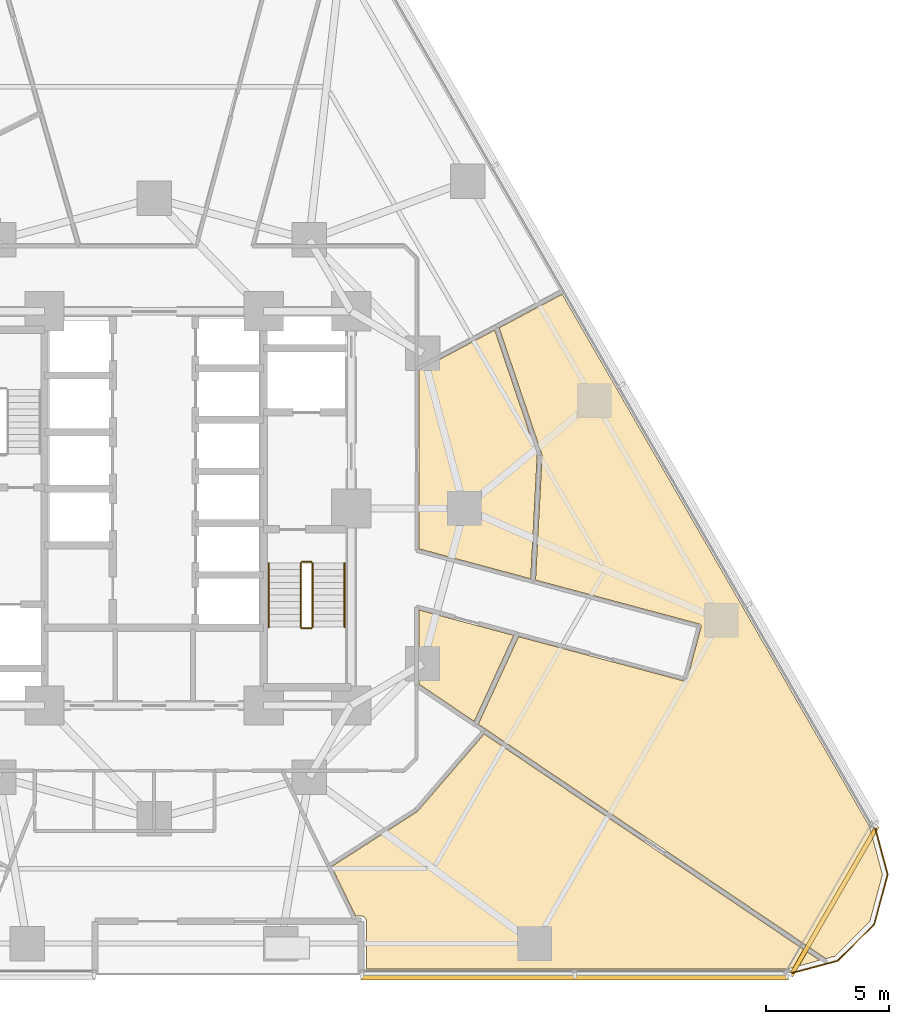
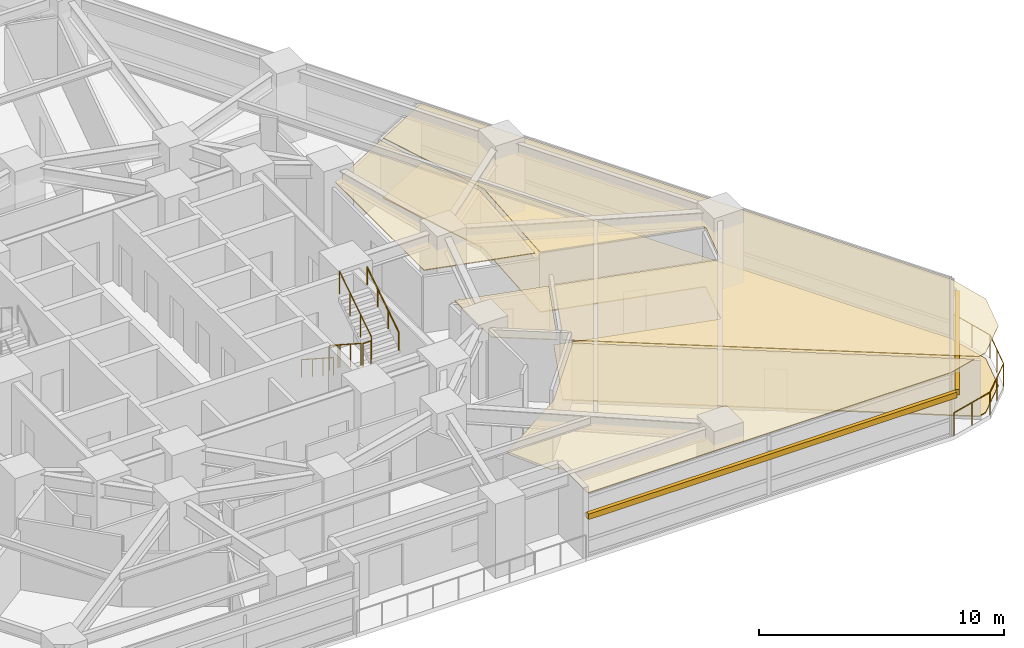
# One storey, part 15 of 16: 7 railings, 5 coverings, 2 shading devices.
"""IFC4 building model written with IfcOpenShell, lengths in metres."""

from ifc_helpers import new_model, si_unit, direction, frame, origin, origin_2d, place, context, subcontext, project, spatial, polyline, rectangle, circle, outline, extrude, material, layer, layer_set, type_object, element, save


model = new_model("IFC4")

# Units and contexts
model_context = context("Model", 3, precision=1e-05, world=origin(), true_north=direction((0.0, 1.0)))
body_context = subcontext(model_context, "Body", "Model", "MODEL_VIEW")
ifc_project = project(units=[si_unit("LENGTHUNIT", "METRE"), si_unit("AREAUNIT", "SQUARE_METRE"), si_unit("VOLUMEUNIT", "CUBIC_METRE"), si_unit("PLANEANGLEUNIT", "RADIAN"), si_unit("MASSUNIT", "GRAM", prefix="KILO")], contexts=[model_context])

# Site, building, storey
site_placement = place(None, origin())
site = spatial("IfcSite", under=ifc_project, at=site_placement, CompositionType="ELEMENT")
building_placement = place(site_placement, origin())
building = spatial("IfcBuilding", under=site, at=building_placement, Name="Terralouvre Media Tower", CompositionType="ELEMENT")
storey_placement = place(building_placement, frame((0.0, 0.0, 44.5)))
storey = spatial("IfcBuildingStorey", under=building, at=storey_placement, Name="L10", CompositionType="ELEMENT", Elevation=44.5)

# Coverings
ifc_material_1 = material(Name="Resilient elastomer acoustic broadcast studio flooring")
ifc_layer_1 = layer(ifc_material_1, 0.050048828125, Name="Broadcast Studio Acoustic Floating Floor FL-AC1")
ifc_layer_set_1 = layer_set([ifc_layer_1], Name="Resilient elastomer acoustic broadcast studio flooring")
covering_type_1 = type_object("IfcCoveringType", Name="Broadcast Studio Acoustic Floating Floor FL-AC1", PredefinedType="FLOORING", material=ifc_layer_set_1)
covering_1_placement = place(storey_placement, origin())
element("IfcCovering", 1, at=covering_1_placement, inside=storey, type_object=covering_type_1, Name="L10 Creative Set Workshop 4 Acoustic Floating Floor", PredefinedType="FLOORING", context=body_context, shape_type="SweptSolid", body=[
    extrude(outline(polyline([(15.747802734375, 2.18505859375), (15.750244140625, 2.17578125), (15.752197265625, 2.16650390625), (15.7529296875, 2.1572265625), (15.7529296875, 2.147705078125), (15.487060546875, -2.907470703125), (22.140869140625, -4.6904296875), (22.150146484375, -4.693359375), (22.1591796875, -4.697265625), (22.167724609375, -4.7021484375), (22.17578125, -4.707763671875), (22.183349609375, -4.714111328125), (22.190185546875, -4.72119140625), (22.1962890625, -4.728759765625), (22.20166015625, -4.737060546875), (22.2060546875, -4.74560546875), (22.209716796875, -4.7548828125), (22.21240234375, -4.764404296875), (22.214111328125, -4.77392578125), (22.21484375, -4.78369140625), (22.21484375, -4.793701171875), (22.213623046875, -4.80322265625), (22.211669921875, -4.81298828125), (21.6416015625, -6.93798828125), (21.638671875, -6.947265625), (21.634765625, -6.956298828125), (21.6298828125, -6.96484375), (21.624267578125, -6.972900390625), (21.617919921875, -6.98046875), (21.61083984375, -6.9873046875), (21.603271484375, -6.993408203125), (21.594970703125, -6.99853515625), (21.586181640625, -7.003173828125), (21.5771484375, -7.006591796875), (21.567626953125, -7.009521484375), (21.55810546875, -7.010986328125), (21.54833984375, -7.011962890625), (21.538330078125, -7.01171875), (21.52880859375, -7.0107421875), (21.51904296875, -7.008544921875), (14.795654296875, -5.206298828125), (13.164306640625, -8.7587890625), (13.43994140625, -8.945068359375), (27.279052734375, -18.279541015625), (27.6611328125, -18.17724609375), (29.060302734375, -16.7783203125), (29.572509765625, -14.866943359375), (29.052734375, -12.926513671875), (16.568603515625, 8.6962890625), (14.0078125, 7.334716796875), (15.747802734375, 2.18505859375)])), origin(), (0.0, 0.0, 1.0), 0.050048828125),
])
ifc_material_2 = material(Name="Perforated aluminium acoustic ceiling baffle", Category="aluminium")
ifc_layer_2 = layer(ifc_material_2, 0.0400390625, Name="Perforated Acoustic Metal Tile Ceiling CL-AC1")
ifc_layer_set_2 = layer_set([ifc_layer_2], Name="Perforated aluminium acoustic ceiling baffle")
covering_type_2 = type_object("IfcCoveringType", Name="Perforated Acoustic Metal Tile Ceiling CL-AC1", PredefinedType="CEILING", material=ifc_layer_set_2)
covering_2_placement = place(storey_placement, frame((0.0, 0.0, 2.97998046875)))
element("IfcCovering", 2, at=covering_2_placement, inside=storey, type_object=covering_type_2, Name="L10 Preview Screening Cinema 3 Acoustic Ceiling", PredefinedType="CEILING", context=body_context, shape_type="SweptSolid", body=[
    extrude(outline(polyline([(14.599609375, -5.15380859375), (10.75, -4.122314453125), (10.75, -7.130859375), (12.996337890625, -8.645263671875), (14.599609375, -5.15380859375)])), origin(), (0.0, 0.0, 1.0), 0.0400390625),
])
covering_3_placement = place(storey_placement, frame((0.0, 0.0, 2.97998046875)))
element("IfcCovering", 3, at=covering_3_placement, inside=storey, type_object=covering_type_2, Name="L10 Creative Set Workshop 4 Acoustic Ceiling", PredefinedType="CEILING", context=body_context, shape_type="SweptSolid", body=[
    extrude(outline(polyline([(15.747802734375, 2.18505859375), (15.750244140625, 2.17578125), (15.752197265625, 2.16650390625), (15.7529296875, 2.1572265625), (15.7529296875, 2.147705078125), (15.487060546875, -2.907470703125), (22.140869140625, -4.6904296875), (22.150146484375, -4.693359375), (22.1591796875, -4.697265625), (22.167724609375, -4.7021484375), (22.17578125, -4.707763671875), (22.183349609375, -4.714111328125), (22.190185546875, -4.72119140625), (22.1962890625, -4.728759765625), (22.20166015625, -4.737060546875), (22.2060546875, -4.74560546875), (22.209716796875, -4.7548828125), (22.21240234375, -4.764404296875), (22.214111328125, -4.77392578125), (22.21484375, -4.78369140625), (22.21484375, -4.793701171875), (22.213623046875, -4.80322265625), (22.211669921875, -4.81298828125), (21.6416015625, -6.93798828125), (21.638671875, -6.947265625), (21.634765625, -6.956298828125), (21.6298828125, -6.96484375), (21.624267578125, -6.972900390625), (21.617919921875, -6.98046875), (21.61083984375, -6.9873046875), (21.603271484375, -6.993408203125), (21.594970703125, -6.99853515625), (21.586181640625, -7.003173828125), (21.5771484375, -7.006591796875), (21.567626953125, -7.009521484375), (21.55810546875, -7.010986328125), (21.54833984375, -7.011962890625), (21.538330078125, -7.01171875), (21.52880859375, -7.0107421875), (21.51904296875, -7.008544921875), (14.795654296875, -5.206298828125), (13.164306640625, -8.7587890625), (13.43994140625, -8.945068359375), (27.279052734375, -18.279541015625), (27.6611328125, -18.17724609375), (29.060302734375, -16.7783203125), (29.572509765625, -14.866943359375), (29.052734375, -12.926513671875), (16.568603515625, 8.6962890625), (14.0078125, 7.334716796875), (15.747802734375, 2.18505859375)])), origin(), (0.0, 0.0, 1.0), 0.0400390625),
])
covering_4_placement = place(storey_placement, frame((0.0, 0.0, 2.97998046875)))
element("IfcCovering", 4, at=covering_4_placement, inside=storey, type_object=covering_type_2, Name="L10 Editorial Collaborative Open Office 5 Acoustic Ceiling", PredefinedType="CEILING", context=body_context, shape_type="SweptSolid", body=[
    extrude(outline(polyline([(13.8291015625, 7.239501953125), (10.75, 5.602783203125), (10.75, -1.63818359375), (15.28955078125, -2.8544921875), (15.552001953125, 2.13916015625), (13.8291015625, 7.239501953125)])), origin(), (0.0, 0.0, 1.0), 0.0400390625),
])
covering_5_placement = place(storey_placement, frame((0.0, 0.0, 2.97998046875)))
element("IfcCovering", 5, at=covering_5_placement, inside=storey, type_object=covering_type_2, Name="L10 Production Catering Galley 10 Acoustic Ceiling", PredefinedType="CEILING", context=body_context, shape_type="SweptSolid", body=[
    extrude(outline(polyline([(27.023193359375, -18.34814453125), (13.401611328125, -9.16064453125), (10.703857421875, -12.291259765625), (10.697021484375, -12.298095703125), (10.68994140625, -12.304443359375), (10.68212890625, -12.31005859375), (7.205810546875, -14.5458984375), (8.181396484375, -16.547119140625), (8.412109375, -16.547119140625), (8.4208984375, -16.54736328125), (8.429931640625, -16.548583984375), (8.44091796875, -16.550537109375), (8.447265625, -16.552001953125), (8.459228515625, -16.554931640625), (8.46923828125, -16.55810546875), (8.480224609375, -16.56201171875), (8.4873046875, -16.56494140625), (8.498291015625, -16.570068359375), (8.50830078125, -16.5751953125), (8.518310546875, -16.581298828125), (8.5283203125, -16.588134765625), (8.537353515625, -16.59521484375), (8.54248046875, -16.599365234375), (8.551513671875, -16.607421875), (8.559814453125, -16.615478515625), (8.567626953125, -16.62451171875), (8.572021484375, -16.629638671875), (8.578857421875, -16.638671875), (8.585693359375, -16.648681640625), (8.591796875, -16.65869140625), (8.596923828125, -16.668701171875), (8.60205078125, -16.6796875), (8.60498046875, -16.686767578125), (8.60888671875, -16.69775390625), (8.611572265625, -16.705810546875), (8.614501953125, -16.716796875), (8.616455078125, -16.7255859375), (8.61767578125, -16.734619140625), (8.61962890625, -16.7587890625), (8.6201171875, -16.76708984375), (8.6201171875, -18.697021484375), (25.720703125, -18.697021484375), (27.023193359375, -18.34814453125)])), origin(), (0.0, 0.0, 1.0), 0.0400390625),
])

# Railings
ifc_material_3 = material(Name="Stainless steel 316 handrail and balustrade", Category="steel")
ifc_layer_3 = layer(ifc_material_3, 0.06005859375, Name="Roof Edge Safety Guardrail GR-ROOF1")
ifc_layer_set_3 = layer_set([ifc_layer_3], Name="Stainless steel 316 handrail and balustrade")
railing_type_1 = type_object("IfcRailingType", Name="Roof Edge Safety Guardrail GR-ROOF1", PredefinedType="GUARDRAIL", material=ifc_layer_set_3)
railing_1_placement = place(storey_placement, frame((25.73779296875, -18.907958984375, 0.0)))
element("IfcRailing", 6, at=railing_1_placement, inside=storey, type_object=railing_type_1, Name="L10 Wind-Corner Perimeter Safety Guardrail C1", PredefinedType="GUARDRAIL", context=body_context, shape_type="SweptSolid", body=[
    extrude(circle(Radius=0.02099609375, at=origin_2d()), frame((0.0, 0.0, 1.12890625), z_axis=(0.965987029675, 0.258590522836, 0.0), x_axis=(-0.258590522836, 0.965987029675, 0.0)), (0.0, 0.0, 1.0), 2.095947265625),
    extrude(circle(Radius=0.02099609375, at=origin_2d()), frame((2.024658203125, 0.5419921875, 1.12890625), z_axis=(0.707165029613, 0.707048527961, 0.0), x_axis=(-0.707048527961, 0.707165029613, 0.0)), (0.0, 0.0, 1.0), 2.095703125),
    extrude(circle(Radius=0.02099609375, at=origin_2d()), frame((3.506591796875, 2.023681640625, 1.12890625), z_axis=(0.258757438042, 0.965942331745, 0.0), x_axis=(-0.965942331745, 0.258757438042, 0.0)), (0.0, 0.0, 1.0), 2.095458984375),
    extrude(circle(Radius=0.02099609375, at=origin_2d()), frame((4.048828125, 4.0478515625, 1.12890625), z_axis=(-0.259054358605, 0.965862743503, 0.0), x_axis=(-0.965862743503, -0.259054358605, 0.0)), (0.0, 0.0, 1.0), 2.095947265625),
    extrude(circle(Radius=0.01904296875, at=origin_2d()), origin(), (0.0, 0.0, 1.0), 1.10791015625),
    extrude(circle(Radius=0.01904296875, at=origin_2d()), frame((1.01220703125, 0.27099609375, 0.0)), (0.0, 0.0, 1.0), 1.10791015625),
    extrude(circle(Radius=0.01904296875, at=origin_2d()), frame((2.024658203125, 0.5419921875, 0.0)), (0.0, 0.0, 1.0), 1.10791015625),
    extrude(circle(Radius=0.01904296875, at=origin_2d()), frame((2.765625, 1.28271484375, 0.0)), (0.0, 0.0, 1.0), 1.10791015625),
    extrude(circle(Radius=0.01904296875, at=origin_2d()), frame((3.506591796875, 2.023681640625, 0.0)), (0.0, 0.0, 1.0), 1.10791015625),
    extrude(circle(Radius=0.01904296875, at=origin_2d()), frame((3.77783203125, 3.03564453125, 0.0)), (0.0, 0.0, 1.0), 1.10791015625),
    extrude(circle(Radius=0.01904296875, at=origin_2d()), frame((4.048828125, 4.0478515625, 0.0)), (0.0, 0.0, 1.0), 1.10791015625),
    extrude(circle(Radius=0.01904296875, at=origin_2d()), frame((3.77734375, 5.06005859375, 0.0)), (0.0, 0.0, 1.0), 1.10791015625),
    extrude(circle(Radius=0.01904296875, at=origin_2d()), frame((3.505859375, 6.072265625, 0.0)), (0.0, 0.0, 1.0), 1.10791015625),
])
ifc_material_4 = material(Name="Stainless steel 316 handrail and balustrade", Category="steel")
ifc_layer_4 = layer(ifc_material_4, 0.050048828125, Name="Stair Flight Wall Handrail HR-INT1")
ifc_layer_set_4 = layer_set([ifc_layer_4], Name="Stainless steel 316 handrail and balustrade")
railing_type_2 = type_object("IfcRailingType", Name="Stair Flight Wall Handrail HR-INT1", PredefinedType="HANDRAIL", material=ifc_layer_set_4)
railing_2_placement = place(storey_placement, frame((4.64990234375, -2.219970703125, 0.168212890625)))
element("IfcRailing", 7, at=railing_2_placement, inside=storey, type_object=railing_type_2, Name="L10 ST-02 stair handrail 1", PredefinedType="HANDRAIL", context=body_context, shape_type="SweptSolid", body=[
    extrude(circle(Radius=0.02392578125, at=origin_2d()), frame((0.0, 0.0, 0.8759765625), z_axis=(0.0, -0.839648411786, 0.543130320075), x_axis=(1.0, 0.0, 0.0)), (0.0, 0.0, 1.0), 3.0966796875),
    extrude(circle(Radius=0.02099609375, at=origin_2d()), origin(), (0.0, 0.0, 1.0), 0.851806640625),
    extrude(circle(Radius=0.02099609375, at=origin_2d()), frame((0.0, -0.86669921875, 0.560546875)), (0.0, 0.0, 1.0), 0.851806640625),
    extrude(circle(Radius=0.02099609375, at=origin_2d()), frame((0.0, -1.7333984375, 1.121337890625)), (0.0, 0.0, 1.0), 0.851806640625),
    extrude(circle(Radius=0.02099609375, at=origin_2d()), frame((0.0, -2.60009765625, 1.681884765625)), (0.0, 0.0, 1.0), 0.851806640625),
])
railing_3_placement = place(storey_placement, frame((7.72998046875, -4.820068359375, 2.01806640625)))
element("IfcRailing", 8, at=railing_3_placement, inside=storey, type_object=railing_type_2, Name="L10 ST-02 stair handrail 2", PredefinedType="HANDRAIL", context=body_context, shape_type="SweptSolid", body=[
    extrude(circle(Radius=0.02392578125, at=origin_2d()), frame((0.0, 0.0, 0.8759765625), z_axis=(0.0, 0.839648411786, 0.543130320075), x_axis=(-1.0, 0.0, 0.0)), (0.0, 0.0, 1.0), 3.0966796875),
    extrude(circle(Radius=0.02099609375, at=origin_2d()), origin(), (0.0, 0.0, 1.0), 0.851806640625),
    extrude(circle(Radius=0.02099609375, at=origin_2d()), frame((0.0, 0.86669921875, 0.560546875)), (0.0, 0.0, 1.0), 0.851806640625),
    extrude(circle(Radius=0.02099609375, at=origin_2d()), frame((0.0, 1.7333984375, 1.121337890625)), (0.0, 0.0, 1.0), 0.851806640625),
    extrude(circle(Radius=0.02099609375, at=origin_2d()), frame((0.0, 2.60009765625, 1.681884765625)), (0.0, 0.0, 1.0), 0.851806640625),
])
ifc_material_5 = material(Name="Stainless steel 316 handrail and balustrade", Category="steel")
ifc_layer_5 = layer(ifc_material_5, 0.050048828125, Name="Stairwell Safety Guardrail GR-INT1")
ifc_layer_set_5 = layer_set([ifc_layer_5], Name="Stainless steel 316 handrail and balustrade")
railing_type_3 = type_object("IfcRailingType", Name="Stairwell Safety Guardrail GR-INT1", PredefinedType="GUARDRAIL", material=ifc_layer_set_5)
railing_4_placement = place(storey_placement, frame((5.949951171875, -2.219970703125, 0.168212890625)))
element("IfcRailing", 9, at=railing_4_placement, inside=storey, type_object=railing_type_3, Name="L10 ST-02 stair guard 1", PredefinedType="GUARDRAIL", context=body_context, shape_type="SweptSolid", body=[
    extrude(circle(Radius=0.02392578125, at=origin_2d()), frame((0.0, 0.0, 1.1259765625), z_axis=(0.0, -0.839648411786, 0.543130320075), x_axis=(1.0, 0.0, 0.0)), (0.0, 0.0, 1.0), 3.0966796875),
    extrude(circle(Radius=0.02099609375, at=origin_2d()), origin(), (0.0, 0.0, 1.0), 1.101806640625),
    extrude(circle(Radius=0.02099609375, at=origin_2d()), frame((0.0, -0.86669921875, 0.560546875)), (0.0, 0.0, 1.0), 1.101806640625),
    extrude(circle(Radius=0.02099609375, at=origin_2d()), frame((0.0, -1.7333984375, 1.121337890625)), (0.0, 0.0, 1.0), 1.101806640625),
    extrude(circle(Radius=0.02099609375, at=origin_2d()), frame((0.0, -2.60009765625, 1.681884765625)), (0.0, 0.0, 1.0), 1.101806640625),
])
railing_5_placement = place(storey_placement, frame((6.0, -4.8701171875, 1.85009765625)))
element("IfcRailing", 10, at=railing_5_placement, inside=storey, type_object=railing_type_3, Name="L10 ST-02 stair guard 2", PredefinedType="GUARDRAIL", context=body_context, shape_type="SweptSolid", body=[
    extrude(circle(Radius=0.02392578125, at=origin_2d()), frame((0.0, 0.0, 1.1259765625), z_axis=(1.0, 0.0, 0.0), x_axis=(0.0, 1.0, 0.0)), (0.0, 0.0, 1.0), 0.3798828125),
    extrude(circle(Radius=0.02099609375, at=origin_2d()), origin(), (0.0, 0.0, 1.0), 1.101806640625),
    extrude(circle(Radius=0.02099609375, at=origin_2d()), frame((0.3798828125, 0.0, 0.0)), (0.0, 0.0, 1.0), 1.101806640625),
])
railing_6_placement = place(storey_placement, frame((6.429931640625, -4.820068359375, 2.01806640625)))
element("IfcRailing", 11, at=railing_6_placement, inside=storey, type_object=railing_type_3, Name="L10 ST-02 stair guard 3", PredefinedType="GUARDRAIL", context=body_context, shape_type="SweptSolid", body=[
    extrude(circle(Radius=0.02392578125, at=origin_2d()), frame((0.0, 0.0, 1.1259765625), z_axis=(0.0, 0.839648411786, 0.543130320075), x_axis=(-1.0, 0.0, 0.0)), (0.0, 0.0, 1.0), 3.0966796875),
    extrude(circle(Radius=0.02099609375, at=origin_2d()), origin(), (0.0, 0.0, 1.0), 1.101806640625),
    extrude(circle(Radius=0.02099609375, at=origin_2d()), frame((0.0, 0.86669921875, 0.560546875)), (0.0, 0.0, 1.0), 1.101806640625),
    extrude(circle(Radius=0.02099609375, at=origin_2d()), frame((0.0, 1.7333984375, 1.121337890625)), (0.0, 0.0, 1.0), 1.101806640625),
    extrude(circle(Radius=0.02099609375, at=origin_2d()), frame((0.0, 2.60009765625, 1.681884765625)), (0.0, 0.0, 1.0), 1.101806640625),
])
railing_7_placement = place(storey_placement, frame((6.0, -2.169921875, 0.0)))
element("IfcRailing", 12, at=railing_7_placement, inside=storey, type_object=railing_type_3, Name="L10 ST-02 stair guard 4", PredefinedType="GUARDRAIL", context=body_context, shape_type="SweptSolid", body=[
    extrude(circle(Radius=0.02392578125, at=origin_2d()), frame((0.0, 0.0, 1.1259765625), z_axis=(1.0, 0.0, 0.0), x_axis=(0.0, 1.0, 0.0)), (0.0, 0.0, 1.0), 0.3798828125),
    extrude(circle(Radius=0.02099609375, at=origin_2d()), origin(), (0.0, 0.0, 1.0), 1.101806640625),
    extrude(circle(Radius=0.02099609375, at=origin_2d()), frame((0.3798828125, 0.0, 0.0)), (0.0, 0.0, 1.0), 1.101806640625),
])

# Shading devices
ifc_material_6 = material(Name="Extruded terracotta baguette sunshade louvres", Category="masonry")
shading_device_type = type_object("IfcShadingDeviceType", Name="Terracotta Baguette Sunshade Louvre Screen TB-LV1", PredefinedType="USERDEFINED", material=ifc_material_6)
shading_device_1_placement = place(storey_placement, frame((17.074951171875, -19.056884765625, 2.02392578125), z_axis=(0.0, 0.0, 1.0), x_axis=(1.0, 0.0, 0.0)))
element("IfcShadingDevice", 13, at=shading_device_1_placement, inside=storey, type_object=shading_device_type, Name="CW-L10-F0R Terracotta Baguette Sunshade Louvre", ObjectType="BAGUETTE", PredefinedType="USERDEFINED", context=body_context, shape_type="SweptSolid", body=[
    extrude(rectangle(XDim=17.35009765625, YDim=0.179931640625, at=origin_2d()), origin(), (0.0, 0.0, 1.0), 0.280029296875),
])
shading_device_2_placement = place(storey_placement, frame((27.607666015625, -15.939208984375, 2.02392578125), z_axis=(0.0, 0.0, 1.0), x_axis=(0.499999691503, 0.866025581895, 0.0)))
element("IfcShadingDevice", 14, at=shading_device_2_placement, inside=storey, type_object=shading_device_type, Name="CW-L10-C1 Terracotta Baguette Sunshade Louvre", ObjectType="BAGUETTE", PredefinedType="USERDEFINED", context=body_context, shape_type="SweptSolid", body=[
    extrude(rectangle(XDim=7.014892578125, YDim=0.179931640625, at=origin_2d()), origin(), (0.0, 0.0, 1.0), 0.280029296875),
])

save(model, "model.ifc")
